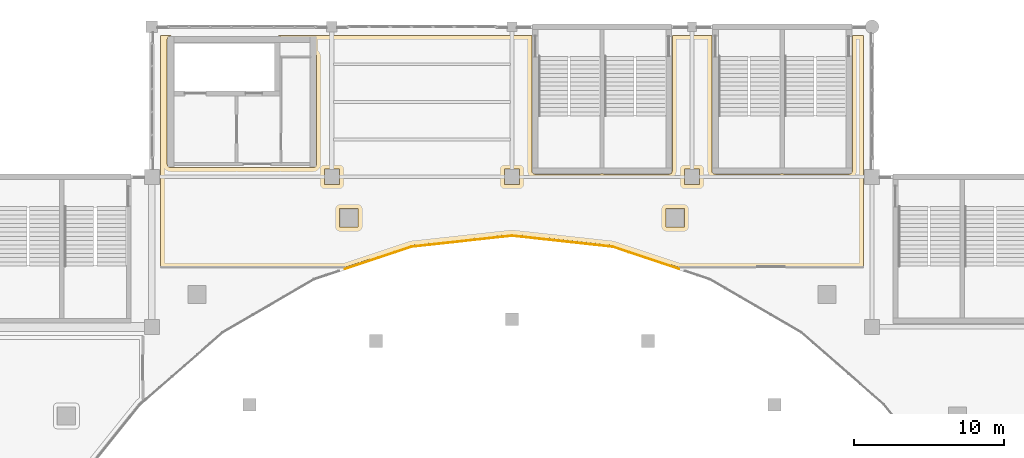
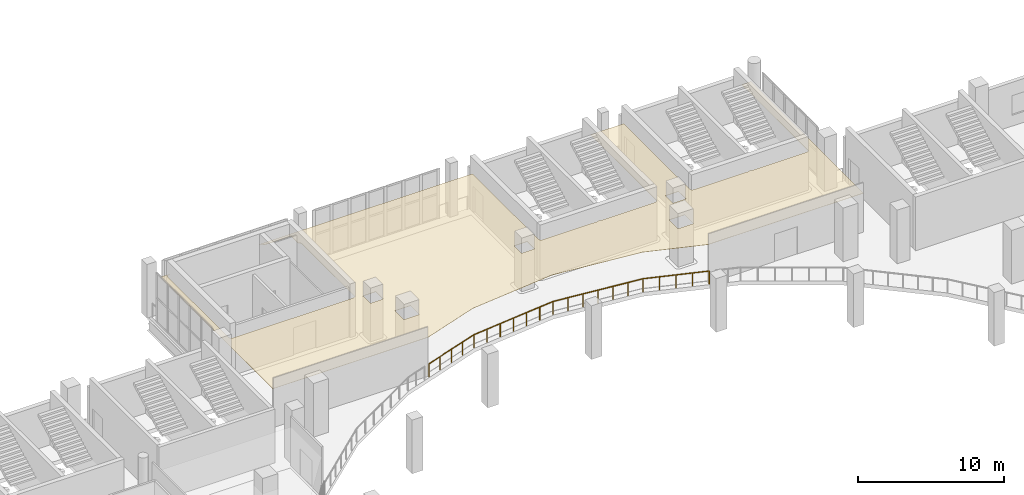
# One storey, part 103 of 108: 1 covering, 1 railing.
"""IFC4 building model written with IfcOpenShell, lengths in metres."""

from ifc_helpers import new_model, si_unit, direction, frame, origin, origin_2d, place, context, subcontext, project, spatial, polyline, circle, outline, extrude, material, layer, layer_set, type_object, element, save


model = new_model("IFC4")

# Units and contexts
model_context = context("Model", 3, precision=1e-05, world=origin(), true_north=direction((0.0, 1.0)))
body_context = subcontext(model_context, "Body", "Model", "MODEL_VIEW")
ifc_project = project(units=[si_unit("LENGTHUNIT", "METRE"), si_unit("AREAUNIT", "SQUARE_METRE"), si_unit("VOLUMEUNIT", "CUBIC_METRE"), si_unit("PLANEANGLEUNIT", "RADIAN"), si_unit("MASSUNIT", "GRAM", prefix="KILO")], contexts=[model_context])

# Site, building, storey
site_placement = place(None, origin())
site = spatial("IfcSite", under=ifc_project, at=site_placement, CompositionType="ELEMENT")
building_placement = place(site_placement, origin())
building = spatial("IfcBuilding", under=site, at=building_placement, Name="Brinegate Civic Arena", CompositionType="ELEMENT")
storey_placement = place(building_placement, frame((0.0, 0.0, 10.199951171875)))
storey = spatial("IfcBuildingStorey", under=building, at=storey_placement, Name="L02", CompositionType="ELEMENT", Elevation=10.199951171875)

# Covering
ifc_material_1 = material(Name="Acoustic perforated aluminium ceiling", Category="aluminium")
ifc_layer = layer(ifc_material_1, 0.02490234375, Name="Acoustic perforated aluminium ceiling")
ifc_layer_set = layer_set([ifc_layer], Name="Acoustic perforated aluminium ceiling")
covering_type = type_object("IfcCoveringType", Name="CEILING-ACOUSTIC-25", PredefinedType="CEILING", material=ifc_layer_set)
covering_placement = place(storey_placement, frame((0.0, 0.0, 3.22509765625)))
element("IfcCovering", 1, at=covering_placement, inside=storey, type_object=covering_type, Name="Acoustic Ceiling L02-003", PredefinedType="CEILING", context=body_context, shape_type="SweptSolid", body=[
    extrude(outline(polyline([(84.580078125, 123.404052734375), (84.5810546875, 123.406005859375), (84.58203125, 123.407958984375), (84.58203125, 123.408935546875), (84.5830078125, 123.410888671875), (84.5849609375, 123.4130859375), (84.5859375, 123.4140625), (84.5869140625, 123.4150390625), (84.589111328125, 123.4169921875), (84.591064453125, 123.41796875), (84.592041015625, 123.41796875), (84.593994140625, 123.4189453125), (84.595947265625, 123.419921875), (84.597900390625, 123.419921875), (84.60009765625, 123.419921875), (85.25, 123.419921875), (85.251953125, 123.419921875), (85.25390625, 123.419921875), (85.256103515625, 123.4189453125), (85.258056640625, 123.41796875), (85.259033203125, 123.41796875), (85.260986328125, 123.4169921875), (85.262939453125, 123.4150390625), (85.263916015625, 123.4140625), (85.264892578125, 123.4130859375), (85.26708984375, 123.410888671875), (85.26806640625, 123.408935546875), (85.26806640625, 123.407958984375), (85.26904296875, 123.406005859375), (85.27001953125, 123.404052734375), (85.27001953125, 123.402099609375), (85.27001953125, 123.39990234375), (85.27001953125, 123.39794921875), (85.27001953125, 123.39599609375), (85.26904296875, 123.39404296875), (85.26806640625, 123.39208984375), (85.26806640625, 123.39111328125), (85.26708984375, 123.388916015625), (85.264892578125, 123.386962890625), (85.263916015625, 123.385986328125), (85.262939453125, 123.385009765625), (85.260986328125, 123.383056640625), (85.259033203125, 123.382080078125), (85.258056640625, 123.382080078125), (85.256103515625, 123.381103515625), (85.25390625, 123.3798828125), (85.251953125, 123.3798828125), (85.205078125, 123.375), (85.162109375, 123.362060546875), (85.1220703125, 123.341064453125), (85.0869140625, 123.31298828125), (85.05908203125, 123.278076171875), (85.0380859375, 123.238037109375), (85.02490234375, 123.195068359375), (85.02001953125, 123.14892578125), (85.02001953125, 119.551025390625), (85.02490234375, 119.501953125), (85.02490234375, 119.5), (85.02490234375, 119.498046875), (85.02001953125, 119.448974609375), (85.02001953125, 114.85107421875), (85.02490234375, 114.804931640625), (85.0380859375, 114.761962890625), (85.05908203125, 114.721923828125), (85.0869140625, 114.68701171875), (85.1220703125, 114.658935546875), (85.162109375, 114.637939453125), (85.205078125, 114.625), (85.2509765625, 114.6201171875), (89.59912109375, 114.6201171875), (89.64794921875, 114.625), (89.64990234375, 114.625), (89.652099609375, 114.625), (89.700927734375, 114.6201171875), (92.4990234375, 114.6201171875), (92.548095703125, 114.625), (92.550048828125, 114.625), (92.552001953125, 114.625), (92.60107421875, 114.6201171875), (94.75, 114.6201171875), (94.77294921875, 114.62109375), (94.81689453125, 114.6298828125), (94.85888671875, 114.64794921875), (94.89599609375, 114.673095703125), (94.927001953125, 114.7041015625), (94.952880859375, 114.741943359375), (94.9619140625, 114.760986328125), (94.97509765625, 114.804931640625), (94.97998046875, 114.85107421875), (94.97998046875, 122.0), (94.97900390625, 122.02294921875), (94.969970703125, 122.06689453125), (94.951904296875, 122.10888671875), (94.94091796875, 122.1279296875), (94.927978515625, 122.14599609375), (94.89599609375, 122.177001953125), (94.85791015625, 122.202880859375), (94.837890625, 122.212890625), (94.818115234375, 122.219970703125), (94.800048828125, 122.222900390625), (94.800048828125, 123.199951171875), (92.674072265625, 123.199951171875), (92.669921875, 123.217041015625), (92.652099609375, 123.259033203125), (92.626953125, 123.2958984375), (92.595947265625, 123.326904296875), (92.55810546875, 123.35302734375), (92.5390625, 123.362060546875), (92.4951171875, 123.375), (92.447998046875, 123.3798828125), (92.446044921875, 123.3798828125), (92.444091796875, 123.381103515625), (92.44189453125, 123.382080078125), (92.44091796875, 123.382080078125), (92.43896484375, 123.383056640625), (92.43701171875, 123.385009765625), (92.43603515625, 123.385986328125), (92.43505859375, 123.386962890625), (92.43310546875, 123.388916015625), (92.431884765625, 123.39111328125), (92.431884765625, 123.39208984375), (92.430908203125, 123.39404296875), (92.429931640625, 123.39599609375), (92.429931640625, 123.39794921875), (92.429931640625, 123.39990234375), (92.429931640625, 123.402099609375), (92.429931640625, 123.404052734375), (92.430908203125, 123.406005859375), (92.431884765625, 123.407958984375), (92.431884765625, 123.408935546875), (92.43310546875, 123.410888671875), (92.43505859375, 123.4130859375), (92.43603515625, 123.4140625), (92.43701171875, 123.4150390625), (92.43896484375, 123.4169921875), (92.44091796875, 123.41796875), (92.44189453125, 123.41796875), (92.444091796875, 123.4189453125), (92.446044921875, 123.419921875), (92.447998046875, 123.419921875), (92.449951171875, 123.419921875), (109.300048828125, 123.419921875), (109.302001953125, 123.419921875), (109.303955078125, 123.419921875), (109.305908203125, 123.4189453125), (109.30810546875, 123.41796875), (109.30908203125, 123.41796875), (109.31103515625, 123.4169921875), (109.31298828125, 123.4150390625), (109.31396484375, 123.4140625), (109.31494140625, 123.4130859375), (109.31689453125, 123.410888671875), (109.318115234375, 123.408935546875), (109.318115234375, 123.407958984375), (109.319091796875, 123.406005859375), (109.320068359375, 123.404052734375), (109.320068359375, 123.402099609375), (109.320068359375, 123.39990234375), (109.320068359375, 114.40087890625), (109.324951171875, 114.35498046875), (109.337890625, 114.31201171875), (109.35888671875, 114.27197265625), (109.386962890625, 114.237060546875), (109.422119140625, 114.208984375), (109.4619140625, 114.18798828125), (109.5048828125, 114.175048828125), (109.551025390625, 114.169921875), (113.85498046875, 114.169921875), (113.8779296875, 114.1708984375), (113.922119140625, 114.179931640625), (113.964111328125, 114.197998046875), (113.989013671875, 114.214111328125), (113.990966796875, 114.215087890625), (113.992919921875, 114.216064453125), (113.9951171875, 114.216064453125), (113.9970703125, 114.217041015625), (113.9990234375, 114.217041015625), (114.0009765625, 114.217041015625), (114.0029296875, 114.217041015625), (114.0048828125, 114.216064453125), (114.007080078125, 114.216064453125), (114.009033203125, 114.215087890625), (114.010986328125, 114.214111328125), (114.035888671875, 114.197998046875), (114.077880859375, 114.179931640625), (114.1220703125, 114.1708984375), (114.14501953125, 114.169921875), (118.448974609375, 114.169921875), (118.4951171875, 114.175048828125), (118.5380859375, 114.18798828125), (118.577880859375, 114.208984375), (118.613037109375, 114.237060546875), (118.64111328125, 114.27197265625), (118.662109375, 114.31201171875), (118.675048828125, 114.35498046875), (118.679931640625, 114.40087890625), (118.679931640625, 123.39990234375), (118.679931640625, 123.402099609375), (118.679931640625, 123.404052734375), (118.680908203125, 123.406005859375), (118.681884765625, 123.407958984375), (118.681884765625, 123.408935546875), (118.68310546875, 123.410888671875), (118.68505859375, 123.4130859375), (118.68603515625, 123.4140625), (118.68701171875, 123.4150390625), (118.68896484375, 123.4169921875), (118.69091796875, 123.41796875), (118.69189453125, 123.41796875), (118.694091796875, 123.4189453125), (118.696044921875, 123.419921875), (118.697998046875, 123.419921875), (118.699951171875, 123.419921875), (121.300048828125, 123.419921875), (121.302001953125, 123.419921875), (121.303955078125, 123.419921875), (121.305908203125, 123.4189453125), (121.30810546875, 123.41796875), (121.30908203125, 123.41796875), (121.31103515625, 123.4169921875), (121.31298828125, 123.4150390625), (121.31396484375, 123.4140625), (121.31494140625, 123.4130859375), (121.31689453125, 123.410888671875), (121.318115234375, 123.408935546875), (121.318115234375, 123.407958984375), (121.319091796875, 123.406005859375), (121.320068359375, 123.404052734375), (121.320068359375, 123.402099609375), (121.320068359375, 123.39990234375), (121.320068359375, 114.39990234375), (121.321044921875, 114.376953125), (121.330078125, 114.3330078125), (121.347900390625, 114.291015625), (121.373046875, 114.25390625), (121.404052734375, 114.222900390625), (121.44189453125, 114.197021484375), (121.4609375, 114.18798828125), (121.5048828125, 114.175048828125), (121.551025390625, 114.169921875), (125.85498046875, 114.169921875), (125.8779296875, 114.1708984375), (125.922119140625, 114.179931640625), (125.964111328125, 114.197998046875), (125.989013671875, 114.214111328125), (125.990966796875, 114.215087890625), (125.992919921875, 114.216064453125), (125.9951171875, 114.216064453125), (125.9970703125, 114.217041015625), (125.9990234375, 114.217041015625), (126.0009765625, 114.217041015625), (126.0029296875, 114.217041015625), (126.0048828125, 114.216064453125), (126.007080078125, 114.216064453125), (126.009033203125, 114.215087890625), (126.010986328125, 114.214111328125), (126.035888671875, 114.197998046875), (126.077880859375, 114.179931640625), (126.1220703125, 114.1708984375), (126.14501953125, 114.169921875), (130.448974609375, 114.169921875), (130.4951171875, 114.175048828125), (130.5390625, 114.18798828125), (130.55810546875, 114.197021484375), (130.595947265625, 114.222900390625), (130.6279296875, 114.25390625), (130.64111328125, 114.27197265625), (130.652099609375, 114.291015625), (130.669921875, 114.3330078125), (130.675048828125, 114.35400390625), (130.679931640625, 114.40087890625), (130.679931640625, 123.39990234375), (130.679931640625, 123.402099609375), (130.679931640625, 123.404052734375), (130.680908203125, 123.406005859375), (130.681884765625, 123.407958984375), (130.681884765625, 123.408935546875), (130.68310546875, 123.410888671875), (130.68505859375, 123.4130859375), (130.68603515625, 123.4140625), (130.68701171875, 123.4150390625), (130.68896484375, 123.4169921875), (130.69091796875, 123.41796875), (130.69189453125, 123.41796875), (130.694091796875, 123.4189453125), (130.696044921875, 123.419921875), (130.697998046875, 123.419921875), (130.699951171875, 123.419921875), (131.39990234375, 123.419921875), (131.402099609375, 123.419921875), (131.404052734375, 123.419921875), (131.406005859375, 123.4189453125), (131.407958984375, 123.41796875), (131.408935546875, 123.41796875), (131.410888671875, 123.4169921875), (131.4130859375, 123.4150390625), (131.4140625, 123.4140625), (131.4150390625, 123.4130859375), (131.4169921875, 123.410888671875), (131.41796875, 123.408935546875), (131.41796875, 123.407958984375), (131.4189453125, 123.406005859375), (131.419921875, 123.404052734375), (131.419921875, 123.402099609375), (131.419921875, 123.39990234375), (131.419921875, 108.0), (131.419921875, 107.998046875), (131.419921875, 107.99609375), (131.4189453125, 107.993896484375), (131.41796875, 107.991943359375), (131.41796875, 107.990966796875), (131.4169921875, 107.989013671875), (131.4150390625, 107.987060546875), (131.4140625, 107.986083984375), (131.4130859375, 107.985107421875), (131.410888671875, 107.98291015625), (131.408935546875, 107.98193359375), (131.407958984375, 107.98193359375), (131.406005859375, 107.98095703125), (131.404052734375, 107.97998046875), (131.402099609375, 107.97998046875), (131.39990234375, 107.97998046875), (119.1201171875, 107.97998046875), (119.117919921875, 107.97998046875), (119.115966796875, 107.97998046875), (119.114013671875, 107.98095703125), (114.72412109375, 109.446044921875), (108.0, 110.179931640625), (101.27587890625, 109.446044921875), (96.885986328125, 107.98095703125), (96.884033203125, 107.97998046875), (96.882080078125, 107.97998046875), (96.8798828125, 107.97998046875), (84.60009765625, 107.97998046875), (84.597900390625, 107.97998046875), (84.595947265625, 107.97998046875), (84.593994140625, 107.98095703125), (84.592041015625, 107.98193359375), (84.591064453125, 107.98193359375), (84.589111328125, 107.98291015625), (84.5869140625, 107.985107421875), (84.5859375, 107.986083984375), (84.5849609375, 107.987060546875), (84.5830078125, 107.989013671875), (84.58203125, 107.990966796875), (84.58203125, 107.991943359375), (84.5810546875, 107.993896484375), (84.580078125, 107.99609375), (84.580078125, 107.998046875), (84.580078125, 108.0), (84.580078125, 123.39990234375), (84.580078125, 123.402099609375), (84.580078125, 123.404052734375)]), holes=[polyline([(96.52001953125, 111.8720703125), (96.52001953125, 110.652099609375), (97.739990234375, 110.652099609375), (97.739990234375, 111.8720703125), (96.52001953125, 111.8720703125)]), polyline([(119.47998046875, 111.8720703125), (118.260009765625, 111.8720703125), (118.260009765625, 110.652099609375), (119.47998046875, 110.652099609375), (119.47998046875, 111.8720703125)]), polyline([(96.510009765625, 114.510009765625), (95.489990234375, 114.510009765625), (95.489990234375, 113.489990234375), (96.510009765625, 113.489990234375), (96.510009765625, 114.510009765625)]), polyline([(107.489990234375, 114.510009765625), (107.489990234375, 113.489990234375), (108.510009765625, 113.489990234375), (108.510009765625, 114.510009765625), (107.489990234375, 114.510009765625)]), polyline([(119.489990234375, 114.510009765625), (119.489990234375, 113.489990234375), (120.510009765625, 113.489990234375), (120.510009765625, 114.510009765625), (119.489990234375, 114.510009765625)])]), origin(), (0.0, 0.0, 1.0), 0.02490234375),
])

# Railing
ifc_material_2 = material(Name="Architectural stainless steel balustrade", Category="steel")
railing_type = type_object("IfcRailingType", Name="RAIL-VOID-BALUSTRADE-1120", PredefinedType="BALUSTRADE", material=ifc_material_2)
railing_placement = place(storey_placement, frame((119.1201171875, 107.863037109375, 0.0)))
element("IfcRailing", 2, at=railing_placement, inside=storey, type_object=railing_type, Name="Deck Edge Balustrade L02-206", PredefinedType="BALUSTRADE", context=body_context, shape_type="SweptSolid", body=[
    extrude(circle(Radius=0.02392578125, at=origin_2d()), frame((-0.00146484375, 0.00048828125, 1.09619140625), z_axis=(-0.948499483036, 0.316778677754, 0.0), x_axis=(-0.316778677754, -0.948499483036, 0.0)), (0.0, 0.0, 1.0), 4.649658203125),
    extrude(circle(Radius=0.02392578125, at=origin_2d()), frame((-4.41455078125, 1.47412109375, 1.09619140625), z_axis=(-0.994064408933, 0.108793156457, 0.0), x_axis=(-0.108793156457, -0.994064408933, 0.0)), (0.0, 0.0, 1.0), 6.736083984375),
    extrude(circle(Radius=0.02392578125, at=origin_2d()), frame((-11.113525390625, 2.20703125, 1.09619140625), z_axis=(-1.0, 0.0, 0.0), x_axis=(0.0, -1.0, 0.0)), (0.0, 0.0, 1.0), 0.01318359375),
    extrude(circle(Radius=0.02392578125, at=origin_2d()), frame((-11.129638671875, 2.206787109375, 1.09619140625), z_axis=(-0.994106587906, -0.108407065645, 0.0), x_axis=(0.108407065645, -0.994106587906, 0.0)), (0.0, 0.0, 1.0), 6.7216796875),
    extrude(circle(Radius=0.02392578125, at=origin_2d()), frame((-17.814697265625, 1.4775390625, 1.09619140625), z_axis=(-0.948531490811, -0.316682823878, 0.0), x_axis=(0.316682823878, -0.948531490811, 0.0)), (0.0, 0.0, 1.0), 4.664306640625),
    extrude(circle(Radius=0.02099609375, at=origin_2d()), origin(), (0.0, 0.0, 1.0), 1.070068359375),
    extrude(circle(Radius=0.02099609375, at=origin_2d()), frame((-1.103271484375, 0.368408203125, 0.0)), (0.0, 0.0, 1.0), 1.070068359375),
    extrude(circle(Radius=0.02099609375, at=origin_2d()), frame((-2.20654296875, 0.73681640625, 0.0)), (0.0, 0.0, 1.0), 1.070068359375),
    extrude(circle(Radius=0.02099609375, at=origin_2d()), frame((-3.309814453125, 1.10546875, 0.0)), (0.0, 0.0, 1.0), 1.070068359375),
    extrude(circle(Radius=0.02099609375, at=origin_2d()), frame((-4.4130859375, 1.473876953125, 0.0)), (0.0, 0.0, 1.0), 1.070068359375),
    extrude(circle(Radius=0.02099609375, at=origin_2d()), frame((-5.529541015625, 1.59619140625, 0.0)), (0.0, 0.0, 1.0), 1.070068359375),
    extrude(circle(Radius=0.02099609375, at=origin_2d()), frame((-6.64599609375, 1.71826171875, 0.0)), (0.0, 0.0, 1.0), 1.070068359375),
    extrude(circle(Radius=0.02099609375, at=origin_2d()), frame((-7.7626953125, 1.84033203125, 0.0)), (0.0, 0.0, 1.0), 1.070068359375),
    extrude(circle(Radius=0.02099609375, at=origin_2d()), frame((-8.879150390625, 1.962646484375, 0.0)), (0.0, 0.0, 1.0), 1.070068359375),
    extrude(circle(Radius=0.02099609375, at=origin_2d()), frame((-9.99560546875, 2.0849609375, 0.0)), (0.0, 0.0, 1.0), 1.070068359375),
    extrude(circle(Radius=0.02099609375, at=origin_2d()), frame((-11.112060546875, 2.20703125, 0.0)), (0.0, 0.0, 1.0), 1.070068359375),
    extrude(circle(Radius=0.02099609375, at=origin_2d()), frame((-12.242431640625, 2.08544921875, 0.0)), (0.0, 0.0, 1.0), 1.070068359375),
    extrude(circle(Radius=0.02099609375, at=origin_2d()), frame((-13.3564453125, 1.964111328125, 0.0)), (0.0, 0.0, 1.0), 1.070068359375),
    extrude(circle(Radius=0.02099609375, at=origin_2d()), frame((-14.470703125, 1.842529296875, 0.0)), (0.0, 0.0, 1.0), 1.070068359375),
    extrude(circle(Radius=0.02099609375, at=origin_2d()), frame((-15.5849609375, 1.720947265625, 0.0)), (0.0, 0.0, 1.0), 1.070068359375),
    extrude(circle(Radius=0.02099609375, at=origin_2d()), frame((-16.698974609375, 1.599609375, 0.0)), (0.0, 0.0, 1.0), 1.070068359375),
    extrude(circle(Radius=0.02099609375, at=origin_2d()), frame((-17.813232421875, 1.47802734375, 0.0)), (0.0, 0.0, 1.0), 1.070068359375),
    extrude(circle(Radius=0.02099609375, at=origin_2d()), frame((-18.919921875, 1.1083984375, 0.0)), (0.0, 0.0, 1.0), 1.070068359375),
    extrude(circle(Radius=0.02099609375, at=origin_2d()), frame((-20.02685546875, 0.739013671875, 0.0)), (0.0, 0.0, 1.0), 1.070068359375),
    extrude(circle(Radius=0.02099609375, at=origin_2d()), frame((-21.133544921875, 0.36962890625, 0.0)), (0.0, 0.0, 1.0), 1.070068359375),
    extrude(circle(Radius=0.02099609375, at=origin_2d()), frame((-22.240234375, 0.0, 0.0)), (0.0, 0.0, 1.0), 1.070068359375),
])

save(model, "model.ifc")
